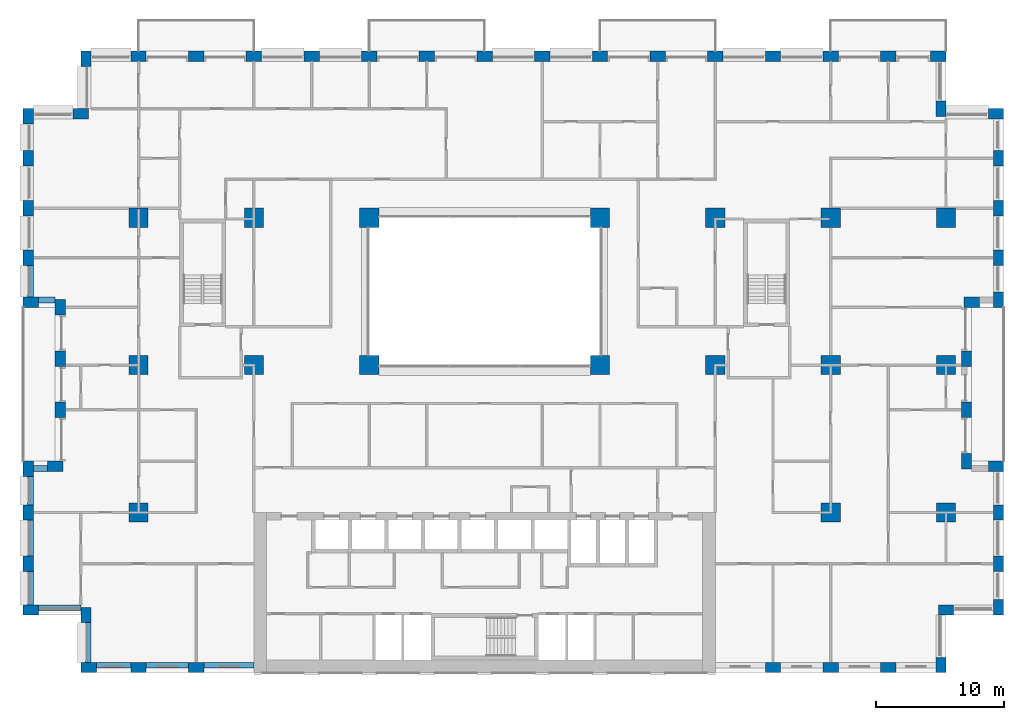
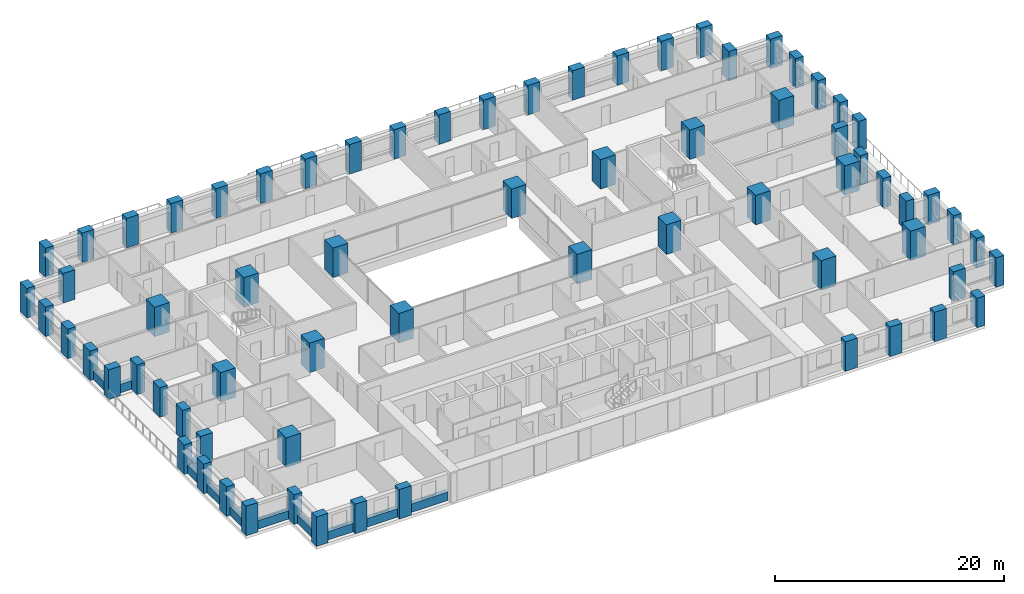
# One storey, part 1 of 20: 70 columns, 11 beams.
"""IFC4 building model written with IfcOpenShell, lengths in metres."""

from ifc_helpers import new_model, si_unit, direction, frame, origin, origin_2d, place, context, subcontext, project, spatial, rectangle, extrude, material, material_profile, profile_set, type_object, element, save


model = new_model("IFC4")

# Units and contexts
model_context = context("Model", 3, precision=1e-05, world=origin(), true_north=direction((0.0, 1.0)))
body_context = subcontext(model_context, "Body", "Model", "MODEL_VIEW")
ifc_project = project(units=[si_unit("LENGTHUNIT", "METRE"), si_unit("AREAUNIT", "SQUARE_METRE"), si_unit("VOLUMEUNIT", "CUBIC_METRE"), si_unit("PLANEANGLEUNIT", "RADIAN"), si_unit("MASSUNIT", "GRAM", prefix="KILO")], contexts=[model_context])

# Site, building, storey
site_placement = place(None, origin())
site = spatial("IfcSite", under=ifc_project, at=site_placement, CompositionType="ELEMENT")
building_placement = place(site_placement, origin())
building = spatial("IfcBuilding", under=site, at=building_placement, Name="Brigalow Station Residences", CompositionType="ELEMENT")
storey_placement = place(building_placement, frame((0.0, 0.0, 38.39990234375)))
storey = spatial("IfcBuildingStorey", under=building, at=storey_placement, Name="L10", CompositionType="ELEMENT", Elevation=38.39990234375)

# Columns
ifc_material_1 = material(Name="Concrete C80", Category="concrete")
ifc_material_profile_1 = material_profile(ifc_material_1, rectangle(XDim=1.5, YDim=1.5, at=origin_2d()), Name="RC1500x1500")
ifc_profile_set_1 = profile_set([ifc_material_profile_1], Name="Concrete C80")
column_type_1 = type_object("IfcColumnType", Name="COLUMN 1500x1500 C80", PredefinedType="COLUMN", material=ifc_profile_set_1)
for number, where, z_axis, x_axis, name in (
    (1, (9.0, 24.0, 0.0), (0.0, 0.0, 1.0), (1.0, 0.0, 0.0), "COLUMN C1 L10"),
    (2, (18.0, 24.0, 0.0), (0.0, 0.0, 1.0), (1.0, 0.0, 0.0), "COLUMN C2 L10"),
    (3, (27.0, 24.0, 0.0), (0.0, 0.0, 1.0), (1.0, 0.0, 0.0), "COLUMN C3 L10"),
    (4, (45.0, 24.0, 0.0), (0.0, 0.0, 1.0), (1.0, 0.0, 0.0), "COLUMN C5 L10"),
    (5, (54.0, 24.0, 0.0), (0.0, 0.0, 1.0), (1.0, 0.0, 0.0), "COLUMN C6 L10"),
    (6, (63.0, 24.0, 0.0), (0.0, 0.0, 1.0), (1.0, 0.0, 0.0), "COLUMN C7 L10"),
    (7, (72.0, 24.0, 0.0), (0.0, 0.0, 1.0), (1.0, 0.0, 0.0), "COLUMN C8 L10"),
    (8, (9.0, 35.5, 0.0), (0.0, 0.0, 1.0), (1.0, 0.0, 0.0), "COLUMN D1 L10"),
    (9, (18.0, 35.5, 0.0), (0.0, 0.0, 1.0), (1.0, 0.0, 0.0), "COLUMN D2 L10"),
    (10, (27.0, 35.5, 0.0), (0.0, 0.0, 1.0), (1.0, 0.0, 0.0), "COLUMN D3 L10"),
    (11, (45.0, 35.5, 0.0), (0.0, 0.0, 1.0), (1.0, 0.0, 0.0), "COLUMN D5 L10"),
    (12, (54.0, 35.5, 0.0), (0.0, 0.0, 1.0), (1.0, 0.0, 0.0), "COLUMN D6 L10"),
    (13, (63.0, 35.5, 0.0), (0.0, 0.0, 1.0), (1.0, 0.0, 0.0), "COLUMN D7 L10"),
    (14, (72.0, 35.5, 0.0), (0.0, 0.0, 1.0), (1.0, 0.0, 0.0), "COLUMN D8 L10"),
    (15, (9.0, 12.5, 0.0), (0.0, 0.0, 1.0), (1.0, 0.0, 0.0), "COLUMN B1 L10"),
    (16, (63.0, 12.5, 0.0), (0.0, 0.0, 1.0), (1.0, 0.0, 0.0), "COLUMN B7 L10"),
    (17, (72.0, 12.5, 0.0), (0.0, 0.0, 1.0), (1.0, 0.0, 0.0), "COLUMN B8 L10"),
):
    element("IfcColumn", number, at=place(storey_placement, frame(where, z_axis=z_axis, x_axis=x_axis)), inside=storey, type_object=column_type_1, Name=name, PredefinedType="COLUMN", context=body_context, shape_type="SweptSolid", body=[
        extrude(rectangle(XDim=1.5, YDim=1.5, at=origin_2d()), origin(), (0.0, 0.0, 1.0), 3.150146484375),
    ])
ifc_material_2 = material(Name="Concrete C80", Category="concrete")
ifc_material_profile_2 = material_profile(ifc_material_2, rectangle(XDim=1.199951171875, YDim=0.800048828125, at=origin_2d()), Name="RC1200x800")
ifc_profile_set_2 = profile_set([ifc_material_profile_2], Name="Concrete C80")
column_type_2 = type_object("IfcColumnType", Name="PIER 1200x800 C80", PredefinedType="USERDEFINED", material=ifc_profile_set_2)
for number, where, z_axis, x_axis, name in (
    (18, (5.10009765625, 0.39990234375, 0.0), (0.0, 0.0, 1.0), (1.0, 0.0, 0.0), "PIER S-1 L10"),
    (19, (9.0, 0.39990234375, 0.0), (0.0, 0.0, 1.0), (1.0, 0.0, 0.0), "PIER S-2 L10"),
    (20, (13.5, 0.39990234375, 0.0), (0.0, 0.0, 1.0), (1.0, 0.0, 0.0), "PIER S-3 L10"),
    (21, (58.5, 0.39990234375, 0.0), (0.0, 0.0, 1.0), (1.0, 0.0, 0.0), "PIER S-13 L10"),
    (22, (63.0, 0.39990234375, 0.0), (0.0, 0.0, 1.0), (1.0, 0.0, 0.0), "PIER S-14 L10"),
    (23, (67.5, 0.39990234375, 0.0), (0.0, 0.0, 1.0), (1.0, 0.0, 0.0), "PIER S-15 L10"),
    (24, (71.60009765625, 0.60009765625, 0.0), (0.0, 0.0, 1.0), (0.0, 1.0, 0.0), "PIER SE1-1 L10"),
    (25, (72.0, 4.89990234375, 0.0), (0.0, 0.0, 1.0), (1.0, 0.0, 0.0), "PIER SE2-1 L10"),
    (26, (76.10009765625, 5.10009765625, 0.0), (0.0, 0.0, 1.0), (0.0, 1.0, 0.0), "PIER E1-1 L10"),
    (27, (76.10009765625, 8.5, 0.0), (0.0, 0.0, 1.0), (0.0, 1.0, 0.0), "PIER E1-2 L10"),
    (28, (76.10009765625, 12.5, 0.0), (0.0, 0.0, 1.0), (0.0, 1.0, 0.0), "PIER E1-3 L10"),
    (29, (75.89990234375, 16.10009765625, 0.0), (0.0, 0.0, 1.0), (-1.0, 0.0, 0.0), "PIER EL1-1 L10"),
    (30, (73.60009765625, 16.5, 0.0), (0.0, 0.0, 1.0), (0.0, 1.0, 0.0), "PIER EL2-1 L10"),
    (31, (73.60009765625, 20.5, 0.0), (0.0, 0.0, 1.0), (0.0, 1.0, 0.0), "PIER EL2-2 L10"),
    (32, (73.60009765625, 24.5, 0.0), (0.0, 0.0, 1.0), (0.0, 1.0, 0.0), "PIER EL2-3 L10"),
    (33, (74.0, 28.89990234375, 0.0), (0.0, 0.0, 1.0), (1.0, 0.0, 0.0), "PIER EL3-1 L10"),
    (34, (76.10009765625, 29.10009765625, 0.0), (0.0, 0.0, 1.0), (0.0, 1.0, 0.0), "PIER E2-1 L10"),
    (35, (76.10009765625, 32.375, 0.0), (0.0, 0.0, 1.0), (0.0, 1.0, 0.0), "PIER E2-2 L10"),
    (36, (76.10009765625, 36.25, 0.0), (0.0, 0.0, 1.0), (0.0, 1.0, 0.0), "PIER E2-3 L10"),
    (37, (76.10009765625, 40.125, 0.0), (0.0, 0.0, 1.0), (0.0, 1.0, 0.0), "PIER E2-4 L10"),
    (38, (75.89990234375, 43.60009765625, 0.0), (0.0, 0.0, 1.0), (-1.0, 0.0, 0.0), "PIER NE1-1 L10"),
    (39, (71.60009765625, 44.0, 0.0), (0.0, 0.0, 1.0), (0.0, 1.0, 0.0), "PIER NE2-1 L10"),
    (40, (71.39990234375, 48.10009765625, 0.0), (0.0, 0.0, 1.0), (-1.0, 0.0, 0.0), "PIER N-1 L10"),
    (41, (67.5, 48.10009765625, 0.0), (0.0, 0.0, 1.0), (-1.0, 0.0, 0.0), "PIER N-2 L10"),
    (42, (63.0, 48.10009765625, 0.0), (0.0, 0.0, 1.0), (-1.0, 0.0, 0.0), "PIER N-3 L10"),
    (43, (58.5, 48.10009765625, 0.0), (0.0, 0.0, 1.0), (-1.0, 0.0, 0.0), "PIER N-4 L10"),
    (44, (54.0, 48.10009765625, 0.0), (0.0, 0.0, 1.0), (-1.0, 0.0, 0.0), "PIER N-5 L10"),
    (45, (49.5, 48.10009765625, 0.0), (0.0, 0.0, 1.0), (-1.0, 0.0, 0.0), "PIER N-6 L10"),
    (46, (45.0, 48.10009765625, 0.0), (0.0, 0.0, 1.0), (-1.0, 0.0, 0.0), "PIER N-7 L10"),
    (47, (40.5, 48.10009765625, 0.0), (0.0, 0.0, 1.0), (-1.0, 0.0, 0.0), "PIER N-8 L10"),
    (48, (36.0, 48.10009765625, 0.0), (0.0, 0.0, 1.0), (-1.0, 0.0, 0.0), "PIER N-9 L10"),
    (49, (31.5, 48.10009765625, 0.0), (0.0, 0.0, 1.0), (-1.0, 0.0, 0.0), "PIER N-10 L10"),
    (50, (27.0, 48.10009765625, 0.0), (0.0, 0.0, 1.0), (-1.0, 0.0, 0.0), "PIER N-11 L10"),
    (51, (22.5, 48.10009765625, 0.0), (0.0, 0.0, 1.0), (-1.0, 0.0, 0.0), "PIER N-12 L10"),
    (52, (18.0, 48.10009765625, 0.0), (0.0, 0.0, 1.0), (-1.0, 0.0, 0.0), "PIER N-13 L10"),
    (53, (13.5, 48.10009765625, 0.0), (0.0, 0.0, 1.0), (-1.0, 0.0, 0.0), "PIER N-14 L10"),
    (54, (9.0, 48.10009765625, 0.0), (0.0, 0.0, 1.0), (-1.0, 0.0, 0.0), "PIER N-15 L10"),
    (55, (4.89990234375, 47.89990234375, 0.0), (0.0, 0.0, 1.0), (0.0, -1.0, 0.0), "PIER NW1-1 L10"),
    (56, (4.5, 43.60009765625, 0.0), (0.0, 0.0, 1.0), (-1.0, 0.0, 0.0), "PIER NW2-1 L10"),
    (57, (0.39990234375, 43.39990234375, 0.0), (0.0, 0.0, 1.0), (0.0, -1.0, 0.0), "PIER W2-1 L10"),
    (58, (0.39990234375, 40.125, 0.0), (0.0, 0.0, 1.0), (0.0, -1.0, 0.0), "PIER W2-2 L10"),
    (59, (0.39990234375, 36.25, 0.0), (0.0, 0.0, 1.0), (0.0, -1.0, 0.0), "PIER W2-3 L10"),
    (60, (0.39990234375, 32.375, 0.0), (0.0, 0.0, 1.0), (0.0, -1.0, 0.0), "PIER W2-4 L10"),
    (61, (0.60009765625, 28.89990234375, 0.0), (0.0, 0.0, 1.0), (1.0, 0.0, 0.0), "PIER WL1-1 L10"),
    (62, (2.89990234375, 28.5, 0.0), (0.0, 0.0, 1.0), (0.0, -1.0, 0.0), "PIER WL2-1 L10"),
    (63, (2.89990234375, 24.5, 0.0), (0.0, 0.0, 1.0), (0.0, -1.0, 0.0), "PIER WL2-2 L10"),
    (64, (2.89990234375, 20.5, 0.0), (0.0, 0.0, 1.0), (0.0, -1.0, 0.0), "PIER WL2-3 L10"),
    (65, (2.5, 16.10009765625, 0.0), (0.0, 0.0, 1.0), (-1.0, 0.0, 0.0), "PIER WL3-1 L10"),
    (66, (0.39990234375, 15.89990234375, 0.0), (0.0, 0.0, 1.0), (0.0, -1.0, 0.0), "PIER W1-1 L10"),
    (67, (0.39990234375, 12.5, 0.0), (0.0, 0.0, 1.0), (0.0, -1.0, 0.0), "PIER W1-2 L10"),
    (68, (0.39990234375, 8.5, 0.0), (0.0, 0.0, 1.0), (0.0, -1.0, 0.0), "PIER W1-3 L10"),
    (69, (0.60009765625, 4.89990234375, 0.0), (0.0, 0.0, 1.0), (1.0, 0.0, 0.0), "PIER SW1-1 L10"),
    (70, (4.89990234375, 4.5, 0.0), (0.0, 0.0, 1.0), (0.0, -1.0, 0.0), "PIER SW2-1 L10"),
):
    element("IfcColumn", number, at=place(storey_placement, frame(where, z_axis=z_axis, x_axis=x_axis)), inside=storey, type_object=column_type_2, Name=name, ObjectType="PIER", PredefinedType="USERDEFINED", context=body_context, shape_type="SweptSolid", body=[
        extrude(rectangle(XDim=1.199951171875, YDim=0.800048828125, at=origin_2d()), origin(), (0.0, 0.0, 1.0), 3.150146484375),
    ])

# Beams
ifc_material_3 = material(Name="Concrete C65", Category="concrete")
ifc_material_profile_3 = material_profile(ifc_material_3, rectangle(XDim=0.449951171875, YDim=0.89990234375, at=origin_2d()), Name="RC450x900")
ifc_profile_set_3 = profile_set([ifc_material_profile_3], Name="Concrete C65")
beam_type = type_object("IfcBeamType", Name="SPANDREL BEAM 450x900 C65", PredefinedType="SPANDREL", material=ifc_profile_set_3)
beam_1_placement = place(storey_placement, frame((5.699951171875, 0.574951171875, 0.4501953125), z_axis=(1.0, 0.0, 0.0), x_axis=(0.0, 1.0, 0.0)))
element("IfcBeam", 71, at=beam_1_placement, inside=storey, type_object=beam_type, Name="L10/spandrel/W-L10-1", PredefinedType="SPANDREL", context=body_context, shape_type="SweptSolid", body=[
    extrude(rectangle(XDim=0.449951171875, YDim=0.89990234375, at=origin_2d()), origin(), (0.0, 0.0, 1.0), 2.699951171875),
])
beam_2_placement = place(storey_placement, frame((9.60009765625, 0.574951171875, 0.4501953125), z_axis=(1.0, 0.0, 0.0), x_axis=(0.0, 1.0, 0.0)))
element("IfcBeam", 72, at=beam_2_placement, inside=storey, type_object=beam_type, Name="L10/spandrel/W-L10-2", PredefinedType="SPANDREL", context=body_context, shape_type="SweptSolid", body=[
    extrude(rectangle(XDim=0.449951171875, YDim=0.89990234375, at=origin_2d()), origin(), (0.0, 0.0, 1.0), 3.2998046875),
])
beam_3_placement = place(storey_placement, frame((14.10009765625, 0.574951171875, 0.4501953125), z_axis=(1.0, 0.0, 0.0), x_axis=(0.0, 1.0, 0.0)))
element("IfcBeam", 73, at=beam_3_placement, inside=storey, type_object=beam_type, Name="L10/spandrel/W-L10-3", PredefinedType="SPANDREL", context=body_context, shape_type="SweptSolid", body=[
    extrude(rectangle(XDim=0.449951171875, YDim=0.89990234375, at=origin_2d()), origin(), (0.0, 0.0, 1.0), 3.89990234375),
])
beam_4_placement = place(storey_placement, frame((0.574951171875, 31.77490234375, 0.4501953125), z_axis=(0.0, -1.0, 0.0), x_axis=(1.0, 0.0, 0.0)))
element("IfcBeam", 74, at=beam_4_placement, inside=storey, type_object=beam_type, Name="L10/spandrel/W-L10-45", PredefinedType="SPANDREL", context=body_context, shape_type="SweptSolid", body=[
    extrude(rectangle(XDim=0.449951171875, YDim=0.89990234375, at=origin_2d()), origin(), (0.0, 0.0, 1.0), 2.474853515625),
])
beam_5_placement = place(storey_placement, frame((1.199951171875, 29.074951171875, 0.4501953125), z_axis=(1.0, 0.0, 0.0), x_axis=(0.0, 1.0, 0.0)))
element("IfcBeam", 75, at=beam_5_placement, inside=storey, type_object=beam_type, Name="L10/spandrel/W-L10-46", PredefinedType="SPANDREL", context=body_context, shape_type="SweptSolid", body=[
    extrude(rectangle(XDim=0.449951171875, YDim=0.89990234375, at=origin_2d()), origin(), (0.0, 0.0, 1.0), 1.300048828125),
])
beam_6_placement = place(storey_placement, frame((1.89990234375, 15.925048828125, 0.4501953125), z_axis=(-1.0, 0.0, 0.0), x_axis=(0.0, -1.0, 0.0)))
element("IfcBeam", 76, at=beam_6_placement, inside=storey, type_object=beam_type, Name="L10/spandrel/W-L10-50", PredefinedType="SPANDREL", context=body_context, shape_type="SweptSolid", body=[
    extrude(rectangle(XDim=0.449951171875, YDim=0.89990234375, at=origin_2d()), origin(), (0.0, 0.0, 1.0), 1.099853515625),
])
beam_7_placement = place(storey_placement, frame((0.574951171875, 15.300048828125, 0.4501953125), z_axis=(0.0, -1.0, 0.0), x_axis=(1.0, 0.0, 0.0)))
element("IfcBeam", 77, at=beam_7_placement, inside=storey, type_object=beam_type, Name="L10/spandrel/W-L10-51", PredefinedType="SPANDREL", context=body_context, shape_type="SweptSolid", body=[
    extrude(rectangle(XDim=0.449951171875, YDim=0.89990234375, at=origin_2d()), origin(), (0.0, 0.0, 1.0), 2.199951171875),
])
beam_8_placement = place(storey_placement, frame((0.574951171875, 11.89990234375, 0.4501953125), z_axis=(0.0, -1.0, 0.0), x_axis=(1.0, 0.0, 0.0)))
element("IfcBeam", 78, at=beam_8_placement, inside=storey, type_object=beam_type, Name="L10/spandrel/W-L10-52", PredefinedType="SPANDREL", context=body_context, shape_type="SweptSolid", body=[
    extrude(rectangle(XDim=0.449951171875, YDim=0.89990234375, at=origin_2d()), origin(), (0.0, 0.0, 1.0), 2.7998046875),
])
beam_9_placement = place(storey_placement, frame((0.574951171875, 7.89990234375, 0.4501953125), z_axis=(0.0, -1.0, 0.0), x_axis=(1.0, 0.0, 0.0)))
element("IfcBeam", 79, at=beam_9_placement, inside=storey, type_object=beam_type, Name="L10/spandrel/W-L10-53", PredefinedType="SPANDREL", context=body_context, shape_type="SweptSolid", body=[
    extrude(rectangle(XDim=0.449951171875, YDim=0.89990234375, at=origin_2d()), origin(), (0.0, 0.0, 1.0), 2.599853515625),
])
beam_10_placement = place(storey_placement, frame((1.199951171875, 5.074951171875, 0.4501953125), z_axis=(1.0, 0.0, 0.0), x_axis=(0.0, 1.0, 0.0)))
element("IfcBeam", 80, at=beam_10_placement, inside=storey, type_object=beam_type, Name="L10/spandrel/W-L10-54", PredefinedType="SPANDREL", context=body_context, shape_type="SweptSolid", body=[
    extrude(rectangle(XDim=0.449951171875, YDim=0.89990234375, at=origin_2d()), origin(), (0.0, 0.0, 1.0), 3.300048828125),
])
beam_11_placement = place(storey_placement, frame((5.074951171875, 3.89990234375, 0.4501953125), z_axis=(0.0, -1.0, 0.0), x_axis=(1.0, 0.0, 0.0)))
element("IfcBeam", 81, at=beam_11_placement, inside=storey, type_object=beam_type, Name="L10/spandrel/W-L10-55", PredefinedType="SPANDREL", context=body_context, shape_type="SweptSolid", body=[
    extrude(rectangle(XDim=0.449951171875, YDim=0.89990234375, at=origin_2d()), origin(), (0.0, 0.0, 1.0), 3.099853515625),
])

save(model, "model.ifc")
